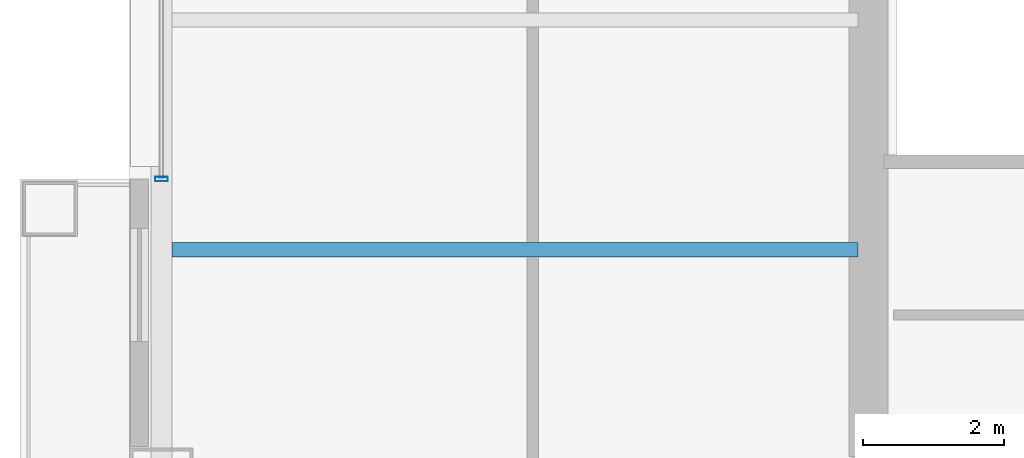
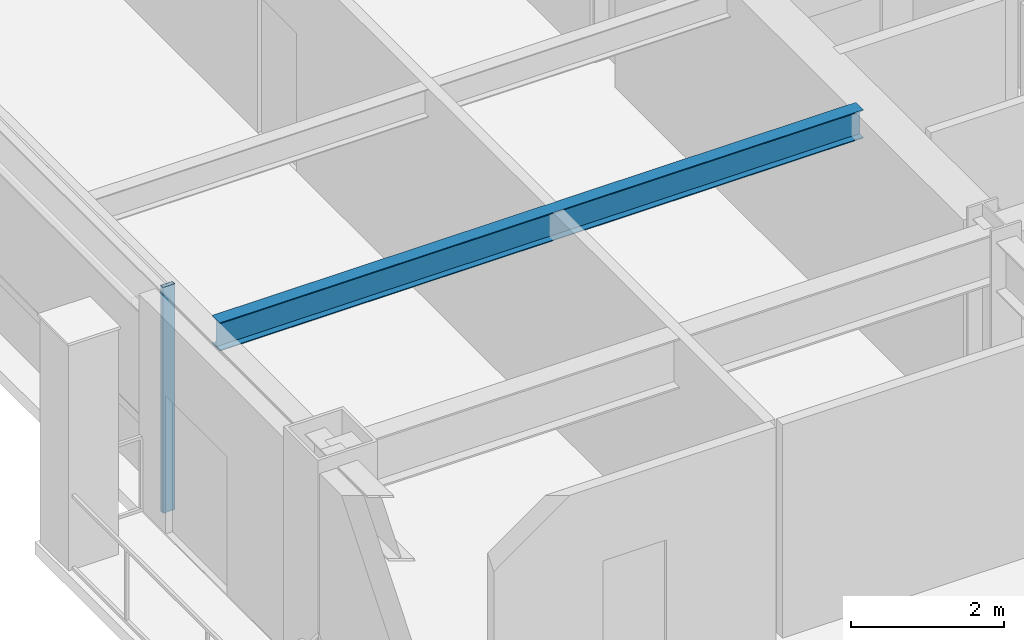
# One storey, part 7 of 29: 1 beam, 1 member, 1 element without a shape of its own.
"""IFC4 building model written with IfcOpenShell, lengths in metres."""

from ifc_helpers import new_model, si_unit, direction, frame, origin, origin_2d, place, context, subcontext, project, spatial, hollow_rectangle, i_section, extrude, material, layer, layer_set, material_profile, profile_set, type_object, element, aggregate, save


model = new_model("IFC4")

# Units and contexts
model_context = context("Model", 3, precision=1e-05, world=origin(), true_north=direction((0.0, 1.0)))
body_context = subcontext(model_context, "Body", "Model", "MODEL_VIEW")
ifc_project = project(units=[si_unit("LENGTHUNIT", "METRE"), si_unit("AREAUNIT", "SQUARE_METRE"), si_unit("VOLUMEUNIT", "CUBIC_METRE"), si_unit("PLANEANGLEUNIT", "RADIAN"), si_unit("MASSUNIT", "GRAM", prefix="KILO")], contexts=[model_context])

# Site, building, storey
site_placement = place(None, origin())
site = spatial("IfcSite", under=ifc_project, at=site_placement, CompositionType="ELEMENT")
building_placement = place(site_placement, origin())
building = spatial("IfcBuilding", under=site, at=building_placement, Name="Brelmoor Portico Tower", CompositionType="ELEMENT")
storey_placement = place(building_placement, frame((0.0, 0.0, 67.199951171875)))
storey = spatial("IfcBuildingStorey", under=building, at=storey_placement, Name="L17", CompositionType="ELEMENT", Elevation=67.199951171875)

# Beam
ifc_material_1 = material(Name="Steel Q355B", Category="steel")
ifc_material_profile_1 = material_profile(ifc_material_1, i_section(OverallWidth=0.199951171875, OverallDepth=0.449951171875, WebThickness=0.009033203125, FlangeThickness=0.013916015625, at=origin_2d()), Name="HN 450x200x9x14")
ifc_profile_set_1 = profile_set([ifc_material_profile_1], Name="Steel Q355B")
beam_type = type_object("IfcBeamType", Name="BM-JS-450", PredefinedType="JOIST", material=ifc_profile_set_1)
beam_placement = place(storey_placement, frame((-24.39990234375, -6.5, 3.175048828125), z_axis=(1.0, 0.0, 0.0), x_axis=(0.0, 1.0, 0.0)))
element("IfcBeam", 1, at=beam_placement, inside=storey, type_object=beam_type, Name="L17 Secondary Wing Joist JS-W05", PredefinedType="JOIST", context=body_context, shape_type="SweptSolid", body=[
    extrude(i_section(OverallWidth=0.199951171875, OverallDepth=0.449951171875, WebThickness=0.009033203125, FlangeThickness=0.013916015625, at=origin_2d()), origin(), (0.0, 0.0, 1.0), 9.699951171875),
])

# Curtain wall, member
ifc_material_2 = material(Name="Anodised Aluminium Alloy 6063-T6", Category="aluminium")
ifc_layer = layer(ifc_material_2, 0.179931640625)
ifc_layer_set = layer_set([ifc_layer], Name="Anodised Aluminium Alloy 6063-T6")
curtain_wall_type = type_object("IfcCurtainWallType", Name="CW-TOWER-Z1", PredefinedType="NOTDEFINED", material=ifc_layer_set)
curtain_wall_placement = place(storey_placement, origin())
curtain_wall = element("IfcCurtainWall", 2, at=curtain_wall_placement, inside=storey, type_object=curtain_wall_type, Name="L17 Curtain Wall CW-L17-3R-1", PredefinedType="NOTDEFINED")
ifc_material_profile_2 = material_profile(ifc_material_2, hollow_rectangle(XDim=0.06494140625, YDim=0.179931640625, WallThickness=0.00390625, at=origin_2d()), Name="ALU MULLION 65x180")
ifc_profile_set_2 = profile_set([ifc_material_profile_2], Name="Anodised Aluminium Alloy 6063-T6")
member_type = type_object("IfcMemberType", Name="MB-CW-MULL-180", PredefinedType="MULLION", material=ifc_profile_set_2)
member_placement = place(storey_placement, frame((-24.550048828125, -5.5, -0.199951171875), z_axis=(0.0, 0.0, 1.0), x_axis=(0.0, 1.0, 0.0)))
member = element("IfcMember", 3, at=member_placement, type_object=member_type, Name="CW-L17-3R-1 Mullion 00", PredefinedType="MULLION", context=body_context, shape_type="SweptSolid", body=[
    extrude(hollow_rectangle(XDim=0.06494140625, YDim=0.179931640625, WallThickness=0.00390625, at=origin_2d()), origin(), (0.0, 0.0, 1.0), 3.60009765625),
])
aggregate(curtain_wall, [member])

save(model, "model.ifc")
